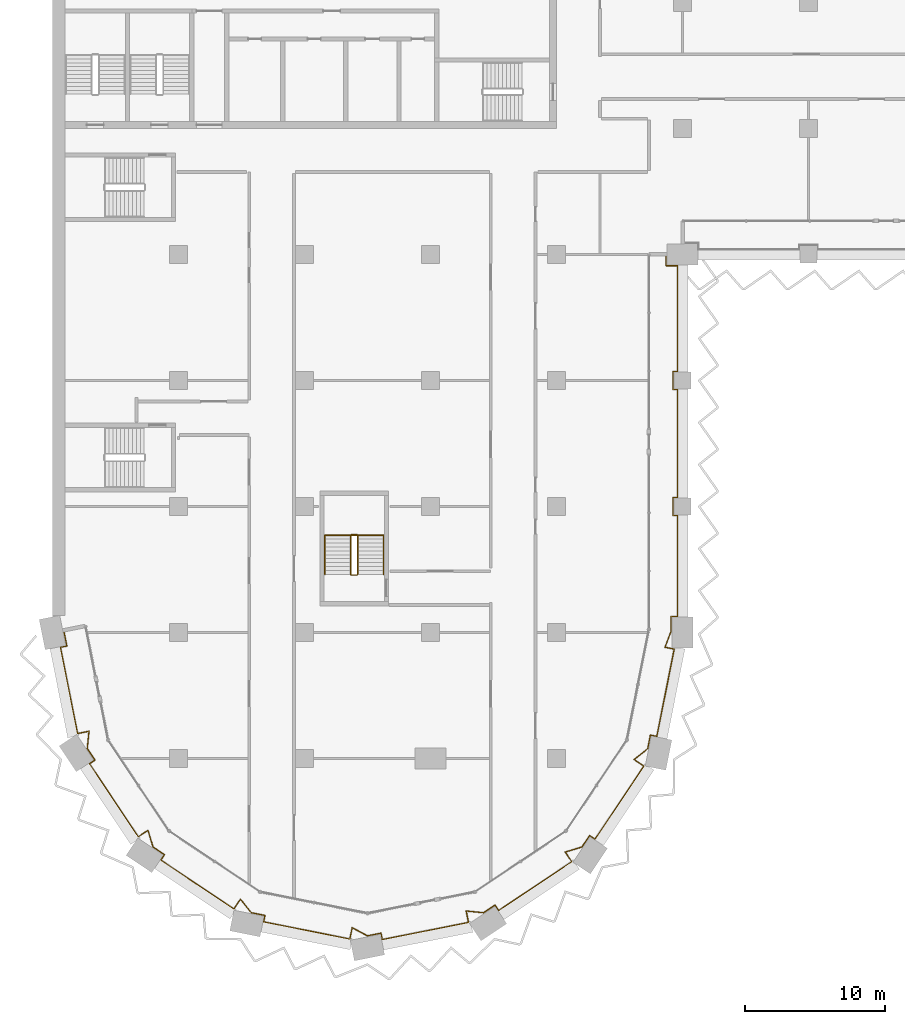
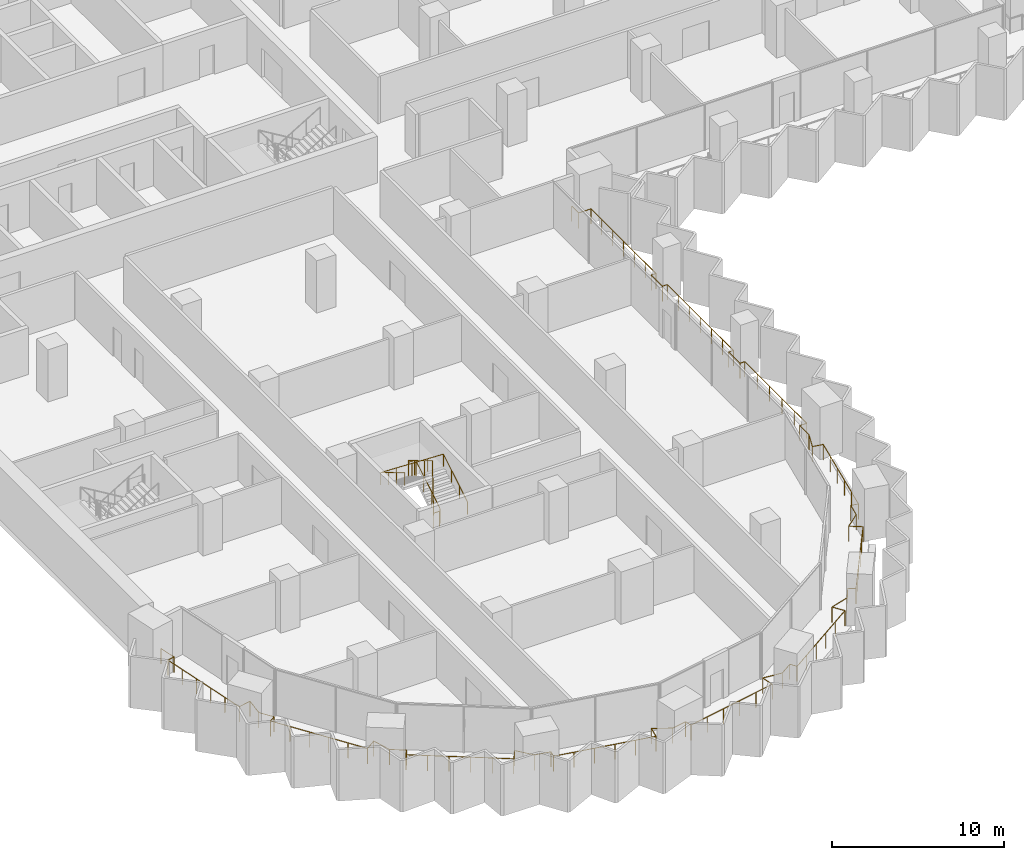
# One storey, part 20 of 23: 3 railings.
"""IFC4 building model written with IfcOpenShell, lengths in metres."""

from ifc_helpers import new_model, si_unit, direction, frame, origin, origin_2d, place, context, subcontext, project, spatial, circle, extrude, material, type_object, element, save


model = new_model("IFC4")

# Units and contexts
model_context = context("Model", 3, precision=1e-05, world=origin(), true_north=direction((0.0, 1.0)))
body_context = subcontext(model_context, "Body", "Model", "MODEL_VIEW")
ifc_project = project(units=[si_unit("LENGTHUNIT", "METRE"), si_unit("AREAUNIT", "SQUARE_METRE"), si_unit("VOLUMEUNIT", "CUBIC_METRE"), si_unit("PLANEANGLEUNIT", "RADIAN"), si_unit("MASSUNIT", "GRAM", prefix="KILO")], contexts=[model_context])

# Site, building, storey
site_placement = place(None, origin())
site = spatial("IfcSite", under=ifc_project, at=site_placement, CompositionType="ELEMENT")
building_placement = place(site_placement, origin())
building = spatial("IfcBuilding", under=site, at=building_placement, Name="Hunhe Ridgeline Campus", CompositionType="ELEMENT")
storey_placement = place(building_placement, frame((0.0, 0.0, 110.699951171875)))
storey = spatial("IfcBuildingStorey", under=building, at=storey_placement, Name="L27", CompositionType="ELEMENT", Elevation=110.699951171875)

# Railings
ifc_material_1 = material(Name="Steel Q355", Category="steel")
railing_type_1 = type_object("IfcRailingType", Name="Loggia guard 1100 Steel Q355", PredefinedType="GUARDRAIL", material=ifc_material_1)
railing_1_placement = place(storey_placement, frame((0.80419921875, 27.159912109375, 0.0)))
element("IfcRailing", 1, at=railing_1_placement, inside=storey, type_object=railing_type_1, Name="Loggia guard 1", PredefinedType="GUARDRAIL", context=body_context, shape_type="SweptSolid", body=[
    extrude(circle(Radius=0.02392578125, at=origin_2d()), frame((0.0, 0.0, 1.076171875), z_axis=(0.195095399255, -0.980784270464, 0.0), x_axis=(0.980784270464, 0.195095399255, 0.0)), (0.0, 0.0, 1.0), 1.150146484375),
    extrude(circle(Radius=0.02392578125, at=origin_2d()), frame((0.224365234375, -1.1279296875, 1.076171875), z_axis=(-0.980839571814, -0.194817181902, 0.0), x_axis=(0.194817181902, -0.980839571814, 0.0)), (0.0, 0.0, 1.0), 0.469970703125),
    extrude(circle(Radius=0.02392578125, at=origin_2d()), frame((-0.236572265625, -1.219482421875, 1.076171875), z_axis=(0.195091122585, -0.98078512116, 0.0), x_axis=(0.98078512116, 0.195091122585, 0.0)), (0.0, 0.0, 1.0), 6.27587890625),
    extrude(circle(Radius=0.02392578125, at=origin_2d()), frame((0.98779296875, -7.374755859375, 1.076171875), z_axis=(0.980805242724, 0.194989937807, 0.0), x_axis=(-0.194989937807, 0.980805242724, 0.0)), (0.0, 0.0, 1.0), 0.833984375),
    extrude(circle(Radius=0.02392578125, at=origin_2d()), frame((1.8056640625, -7.212158203125, 1.076171875), z_axis=(-0.10024174874, -0.994963110778, 0.0), x_axis=(0.994963110778, -0.10024174874, 0.0)), (0.0, 0.0, 1.0), 1.24462890625),
    extrude(circle(Radius=0.02392578125, at=origin_2d()), frame((1.680908203125, -8.450439453125, 1.076171875), z_axis=(0.555613261421, -0.831440860034, 0.0), x_axis=(0.831440860034, 0.555613261421, 0.0)), (0.0, 0.0, 1.0), 0.98681640625),
    extrude(circle(Radius=0.02392578125, at=origin_2d()), frame((2.229248046875, -9.27099609375, 1.076171875), z_axis=(-0.831650496226, -0.55529942565, 0.0), x_axis=(0.55529942565, -0.831650496226, 0.0)), (0.0, 0.0, 1.0), 0.469970703125),
    extrude(circle(Radius=0.02392578125, at=origin_2d()), frame((1.83837890625, -9.531982421875, 1.076171875), z_axis=(0.55555274607, -0.831481296443, 0.0), x_axis=(0.831481296443, 0.55555274607, 0.0)), (0.0, 0.0, 1.0), 6.27587890625),
    extrude(circle(Radius=0.02392578125, at=origin_2d()), frame((5.324951171875, -14.750244140625, 1.076171875), z_axis=(0.831419211319, 0.555645656016, 0.0), x_axis=(-0.555645656016, 0.831419211319, 0.0)), (0.0, 0.0, 1.0), 0.833984375),
    extrude(circle(Radius=0.02392578125, at=origin_2d()), frame((6.018310546875, -14.286865234375, 1.076171875), z_axis=(0.288373576958, -0.957517979002, 0.0), x_axis=(0.957517979002, 0.288373576958, 0.0)), (0.0, 0.0, 1.0), 1.24462890625),
    extrude(circle(Radius=0.02392578125, at=origin_2d()), frame((6.377197265625, -15.478515625, 1.076171875), z_axis=(0.831440860034, -0.555613261421, 0.0), x_axis=(0.555613261421, 0.831440860034, 0.0)), (0.0, 0.0, 1.0), 0.98681640625),
    extrude(circle(Radius=0.02392578125, at=origin_2d()), frame((7.19775390625, -16.02685546875, 1.076171875), z_axis=(-0.555658548717, -0.831410594856, 0.0), x_axis=(0.831410594856, -0.555658548717, 0.0)), (0.0, 0.0, 1.0), 0.47021484375),
    extrude(circle(Radius=0.02392578125, at=origin_2d()), frame((6.9365234375, -16.417724609375, 1.076171875), z_axis=(0.831469289337, -0.555570716372, 0.0), x_axis=(0.555570716372, 0.831469289337, 0.0)), (0.0, 0.0, 1.0), 6.275634765625),
    extrude(circle(Radius=0.02392578125, at=origin_2d()), frame((12.154541015625, -19.904296875, 1.076171875), z_axis=(0.555645656016, 0.831419211319, 0.0), x_axis=(-0.831419211319, 0.555645656016, 0.0)), (0.0, 0.0, 1.0), 0.833984375),
    extrude(circle(Radius=0.02392578125, at=origin_2d()), frame((12.617919921875, -19.2109375, 1.076171875), z_axis=(0.632628709191, -0.774455238414, 0.0), x_axis=(0.774455238414, 0.632628709191, 0.0)), (0.0, 0.0, 1.0), 1.24462890625),
    extrude(circle(Radius=0.02392578125, at=origin_2d()), frame((13.4052734375, -20.1748046875, 1.076171875), z_axis=(0.980770488785, -0.195164669773, 0.0), x_axis=(0.195164669773, 0.980770488785, 0.0)), (0.0, 0.0, 1.0), 0.987060546875),
    extrude(circle(Radius=0.02392578125, at=origin_2d()), frame((14.373291015625, -20.367431640625, 1.076171875), z_axis=(-0.195316901017, -0.980740183829, 0.0), x_axis=(0.980740183829, -0.195316901017, 0.0)), (0.0, 0.0, 1.0), 0.469970703125),
    extrude(circle(Radius=0.02392578125, at=origin_2d()), frame((14.281494140625, -20.828369140625, 1.076171875), z_axis=(0.98078512116, -0.195091122585, 0.0), x_axis=(0.195091122585, 0.98078512116, 0.0)), (0.0, 0.0, 1.0), 6.27587890625),
    extrude(circle(Radius=0.02392578125, at=origin_2d()), frame((20.436767578125, -22.052734375, 1.076171875), z_axis=(0.194989937807, 0.980805242724, 0.0), x_axis=(-0.980805242724, 0.194989937807, 0.0)), (0.0, 0.0, 1.0), 0.833984375),
    extrude(circle(Radius=0.02392578125, at=origin_2d()), frame((20.599365234375, -21.23486328125, 1.076171875), z_axis=(0.880980801229, -0.473152013486, 0.0), x_axis=(0.473152013486, 0.880980801229, 0.0)), (0.0, 0.0, 1.0), 1.24462890625),
    extrude(circle(Radius=0.02392578125, at=origin_2d()), frame((21.69580078125, -21.82373046875, 1.076171875), z_axis=(0.98081780924, 0.194926717196, 0.0), x_axis=(-0.194926717196, 0.98081780924, 0.0)), (0.0, 0.0, 1.0), 0.987060546875),
    extrude(circle(Radius=0.02392578125, at=origin_2d()), frame((22.663818359375, -21.63134765625, 1.076171875), z_axis=(0.194817181902, -0.980839571814, 0.0), x_axis=(0.980839571814, 0.194817181902, 0.0)), (0.0, 0.0, 1.0), 0.469970703125),
    extrude(circle(Radius=0.02392578125, at=origin_2d()), frame((22.75537109375, -22.09228515625, 1.076171875), z_axis=(0.98078512116, 0.195091122585, 0.0), x_axis=(-0.195091122585, 0.98078512116, 0.0)), (0.0, 0.0, 1.0), 6.27587890625),
    extrude(circle(Radius=0.02392578125, at=origin_2d()), frame((28.91064453125, -20.867919921875, 1.076171875), z_axis=(-0.194989937807, 0.980805242724, 0.0), x_axis=(-0.980805242724, -0.194989937807, 0.0)), (0.0, 0.0, 1.0), 0.833984375),
    extrude(circle(Radius=0.02392578125, at=origin_2d()), frame((28.748046875, -20.050048828125, 1.076171875), z_axis=(0.994963110778, -0.10024174874, 0.0), x_axis=(0.10024174874, 0.994963110778, 0.0)), (0.0, 0.0, 1.0), 1.24462890625),
    extrude(circle(Radius=0.02392578125, at=origin_2d()), frame((29.986328125, -20.1748046875, 1.076171875), z_axis=(0.831440860034, 0.555613261421, 0.0), x_axis=(-0.555613261421, 0.831440860034, 0.0)), (0.0, 0.0, 1.0), 0.98681640625),
    extrude(circle(Radius=0.02392578125, at=origin_2d()), frame((30.806884765625, -19.62646484375, 1.076171875), z_axis=(0.55529942565, -0.831650496226, 0.0), x_axis=(0.831650496226, 0.55529942565, 0.0)), (0.0, 0.0, 1.0), 0.469970703125),
    extrude(circle(Radius=0.02392578125, at=origin_2d()), frame((31.06787109375, -20.017333984375, 1.076171875), z_axis=(0.831481296443, 0.55555274607, 0.0), x_axis=(-0.55555274607, 0.831481296443, 0.0)), (0.0, 0.0, 1.0), 6.27587890625),
    extrude(circle(Radius=0.02392578125, at=origin_2d()), frame((36.2861328125, -16.53076171875, 1.076171875), z_axis=(-0.555645656016, 0.831419211319, 0.0), x_axis=(-0.831419211319, -0.555645656016, 0.0)), (0.0, 0.0, 1.0), 0.833984375),
    extrude(circle(Radius=0.02392578125, at=origin_2d()), frame((35.82275390625, -15.83740234375, 1.076171875), z_axis=(0.957517979002, 0.288373576958, 0.0), x_axis=(-0.288373576958, 0.957517979002, 0.0)), (0.0, 0.0, 1.0), 1.24462890625),
    extrude(circle(Radius=0.02392578125, at=origin_2d()), frame((37.014404296875, -15.478515625, 1.076171875), z_axis=(0.555613261421, 0.831440860034, 0.0), x_axis=(-0.831440860034, 0.555613261421, 0.0)), (0.0, 0.0, 1.0), 0.98681640625),
    extrude(circle(Radius=0.02392578125, at=origin_2d()), frame((37.562744140625, -14.657958984375, 1.076171875), z_axis=(0.831410594856, -0.555658548717, 0.0), x_axis=(0.555658548717, 0.831410594856, 0.0)), (0.0, 0.0, 1.0), 0.47021484375),
    extrude(circle(Radius=0.02392578125, at=origin_2d()), frame((37.95361328125, -14.919189453125, 1.076171875), z_axis=(0.555570716372, 0.831469289337, 0.0), x_axis=(-0.831469289337, 0.555570716372, 0.0)), (0.0, 0.0, 1.0), 6.275634765625),
    extrude(circle(Radius=0.02392578125, at=origin_2d()), frame((41.440185546875, -9.701171875, 1.076171875), z_axis=(-0.831419211319, 0.555645656016, 0.0), x_axis=(-0.555645656016, -0.831419211319, 0.0)), (0.0, 0.0, 1.0), 0.833984375),
    extrude(circle(Radius=0.02392578125, at=origin_2d()), frame((40.746826171875, -9.23779296875, 1.076171875), z_axis=(0.774455238414, 0.632628709191, 0.0), x_axis=(-0.632628709191, 0.774455238414, 0.0)), (0.0, 0.0, 1.0), 1.24462890625),
    extrude(circle(Radius=0.02392578125, at=origin_2d()), frame((41.710693359375, -8.450439453125, 1.076171875), z_axis=(0.195164669773, 0.980770488785, 0.0), x_axis=(-0.980770488785, 0.195164669773, 0.0)), (0.0, 0.0, 1.0), 0.987060546875),
    extrude(circle(Radius=0.02392578125, at=origin_2d()), frame((41.9033203125, -7.482421875, 1.076171875), z_axis=(0.980740183829, -0.195316901017, 0.0), x_axis=(0.195316901017, 0.980740183829, 0.0)), (0.0, 0.0, 1.0), 0.469970703125),
    extrude(circle(Radius=0.02392578125, at=origin_2d()), frame((42.3642578125, -7.57421875, 1.076171875), z_axis=(0.195074166836, 0.98078849373, 0.0), x_axis=(-0.98078849373, 0.195074166836, 0.0)), (0.0, 0.0, 1.0), 6.35400390625),
    extrude(circle(Radius=0.02392578125, at=origin_2d()), frame((43.603759765625, -1.34228515625, 1.076171875), z_axis=(-0.980818178173, 0.194924860818, 0.0), x_axis=(-0.194924860818, -0.980818178173, 0.0)), (0.0, 0.0, 1.0), 0.670166015625),
    extrude(circle(Radius=0.02392578125, at=origin_2d()), frame((42.946533203125, -1.211669921875, 1.076171875), z_axis=(0.354368618256, 0.935105813475, 0.0), x_axis=(-0.935105813475, 0.354368618256, 0.0)), (0.0, 0.0, 1.0), 1.211181640625),
    extrude(circle(Radius=0.02392578125, at=origin_2d()), frame((43.375732421875, -0.0791015625, 1.076171875), z_axis=(0.0, 1.0, 0.0), x_axis=(-1.0, 0.0, 0.0)), (0.0, 0.0, 1.0), 1.069091796875),
    extrude(circle(Radius=0.02392578125, at=origin_2d()), frame((43.375732421875, 0.989990234375, 1.076171875), z_axis=(1.0, 0.0, 0.0), x_axis=(0.0, 1.0, 0.0)), (0.0, 0.0, 1.0), 0.469970703125),
    extrude(circle(Radius=0.02392578125, at=origin_2d()), frame((43.845703125, 0.989990234375, 1.076171875), z_axis=(0.0, 1.0, 0.0), x_axis=(-1.0, 0.0, 0.0)), (0.0, 0.0, 1.0), 7.2001953125),
    extrude(circle(Radius=0.02392578125, at=origin_2d()), frame((43.845703125, 8.190185546875, 1.076171875), z_axis=(-1.0, 0.0, 0.0), x_axis=(0.0, -1.0, 0.0)), (0.0, 0.0, 1.0), 0.31982421875),
    extrude(circle(Radius=0.02392578125, at=origin_2d()), frame((43.52587890625, 8.190185546875, 1.076171875), z_axis=(0.0, 1.0, 0.0), x_axis=(-1.0, 0.0, 0.0)), (0.0, 0.0, 1.0), 1.2998046875),
    extrude(circle(Radius=0.02392578125, at=origin_2d()), frame((43.52587890625, 9.489990234375, 1.076171875), z_axis=(1.0, 0.0, 0.0), x_axis=(0.0, 1.0, 0.0)), (0.0, 0.0, 1.0), 0.31982421875),
    extrude(circle(Radius=0.02392578125, at=origin_2d()), frame((43.845703125, 9.489990234375, 1.076171875), z_axis=(0.0, 1.0, 0.0), x_axis=(-1.0, 0.0, 0.0)), (0.0, 0.0, 1.0), 7.7001953125),
    extrude(circle(Radius=0.02392578125, at=origin_2d()), frame((43.845703125, 17.190185546875, 1.076171875), z_axis=(-1.0, 0.0, 0.0), x_axis=(0.0, -1.0, 0.0)), (0.0, 0.0, 1.0), 0.31982421875),
    extrude(circle(Radius=0.02392578125, at=origin_2d()), frame((43.52587890625, 17.190185546875, 1.076171875), z_axis=(0.0, 1.0, 0.0), x_axis=(-1.0, 0.0, 0.0)), (0.0, 0.0, 1.0), 1.2998046875),
    extrude(circle(Radius=0.02392578125, at=origin_2d()), frame((43.52587890625, 18.489990234375, 1.076171875), z_axis=(1.0, 0.0, 0.0), x_axis=(0.0, 1.0, 0.0)), (0.0, 0.0, 1.0), 0.31982421875),
    extrude(circle(Radius=0.02392578125, at=origin_2d()), frame((43.845703125, 18.489990234375, 1.076171875), z_axis=(0.0, 1.0, 0.0), x_axis=(-1.0, 0.0, 0.0)), (0.0, 0.0, 1.0), 7.550048828125),
    extrude(circle(Radius=0.02392578125, at=origin_2d()), frame((43.845703125, 26.0400390625, 1.076171875), z_axis=(-1.0, 0.0, 0.0), x_axis=(0.0, -1.0, 0.0)), (0.0, 0.0, 1.0), 0.81982421875),
    extrude(circle(Radius=0.02392578125, at=origin_2d()), frame((43.02587890625, 26.0400390625, 1.076171875), z_axis=(0.0, 1.0, 0.0), x_axis=(-1.0, 0.0, 0.0)), (0.0, 0.0, 1.0), 0.800048828125),
    extrude(circle(Radius=0.02099609375, at=origin_2d()), origin(), (0.0, 0.0, 1.0), 1.052001953125),
    extrude(circle(Radius=0.02099609375, at=origin_2d()), frame((0.224365234375, -1.1279296875, 0.0)), (0.0, 0.0, 1.0), 1.052001953125),
    extrude(circle(Radius=0.02099609375, at=origin_2d()), frame((-0.236572265625, -1.219482421875, 0.0)), (0.0, 0.0, 1.0), 1.052001953125),
    extrude(circle(Radius=0.02099609375, at=origin_2d()), frame((0.00830078125, -2.450439453125, 0.0)), (0.0, 0.0, 1.0), 1.052001953125),
    extrude(circle(Radius=0.02099609375, at=origin_2d()), frame((0.253173828125, -3.681640625, 0.0)), (0.0, 0.0, 1.0), 1.052001953125),
    extrude(circle(Radius=0.02099609375, at=origin_2d()), frame((0.498046875, -4.91259765625, 0.0)), (0.0, 0.0, 1.0), 1.052001953125),
    extrude(circle(Radius=0.02099609375, at=origin_2d()), frame((0.742919921875, -6.143798828125, 0.0)), (0.0, 0.0, 1.0), 1.052001953125),
    extrude(circle(Radius=0.02099609375, at=origin_2d()), frame((0.98779296875, -7.374755859375, 0.0)), (0.0, 0.0, 1.0), 1.052001953125),
    extrude(circle(Radius=0.02099609375, at=origin_2d()), frame((1.8056640625, -7.212158203125, 0.0)), (0.0, 0.0, 1.0), 1.052001953125),
    extrude(circle(Radius=0.02099609375, at=origin_2d()), frame((1.680908203125, -8.450439453125, 0.0)), (0.0, 0.0, 1.0), 1.052001953125),
    extrude(circle(Radius=0.02099609375, at=origin_2d()), frame((2.229248046875, -9.27099609375, 0.0)), (0.0, 0.0, 1.0), 1.052001953125),
    extrude(circle(Radius=0.02099609375, at=origin_2d()), frame((1.83837890625, -9.531982421875, 0.0)), (0.0, 0.0, 1.0), 1.052001953125),
    extrude(circle(Radius=0.02099609375, at=origin_2d()), frame((2.53564453125, -10.57568359375, 0.0)), (0.0, 0.0, 1.0), 1.052001953125),
    extrude(circle(Radius=0.02099609375, at=origin_2d()), frame((3.23291015625, -11.619384765625, 0.0)), (0.0, 0.0, 1.0), 1.052001953125),
    extrude(circle(Radius=0.02099609375, at=origin_2d()), frame((3.930419921875, -12.662841796875, 0.0)), (0.0, 0.0, 1.0), 1.052001953125),
    extrude(circle(Radius=0.02099609375, at=origin_2d()), frame((4.627685546875, -13.70654296875, 0.0)), (0.0, 0.0, 1.0), 1.052001953125),
    extrude(circle(Radius=0.02099609375, at=origin_2d()), frame((5.324951171875, -14.750244140625, 0.0)), (0.0, 0.0, 1.0), 1.052001953125),
    extrude(circle(Radius=0.02099609375, at=origin_2d()), frame((6.018310546875, -14.286865234375, 0.0)), (0.0, 0.0, 1.0), 1.052001953125),
    extrude(circle(Radius=0.02099609375, at=origin_2d()), frame((6.377197265625, -15.478515625, 0.0)), (0.0, 0.0, 1.0), 1.052001953125),
    extrude(circle(Radius=0.02099609375, at=origin_2d()), frame((7.19775390625, -16.02685546875, 0.0)), (0.0, 0.0, 1.0), 1.052001953125),
    extrude(circle(Radius=0.02099609375, at=origin_2d()), frame((6.9365234375, -16.417724609375, 0.0)), (0.0, 0.0, 1.0), 1.052001953125),
    extrude(circle(Radius=0.02099609375, at=origin_2d()), frame((7.980224609375, -17.114990234375, 0.0)), (0.0, 0.0, 1.0), 1.052001953125),
    extrude(circle(Radius=0.02099609375, at=origin_2d()), frame((9.023681640625, -17.812255859375, 0.0)), (0.0, 0.0, 1.0), 1.052001953125),
    extrude(circle(Radius=0.02099609375, at=origin_2d()), frame((10.0673828125, -18.509765625, 0.0)), (0.0, 0.0, 1.0), 1.052001953125),
    extrude(circle(Radius=0.02099609375, at=origin_2d()), frame((11.11083984375, -19.20703125, 0.0)), (0.0, 0.0, 1.0), 1.052001953125),
    extrude(circle(Radius=0.02099609375, at=origin_2d()), frame((12.154541015625, -19.904296875, 0.0)), (0.0, 0.0, 1.0), 1.052001953125),
    extrude(circle(Radius=0.02099609375, at=origin_2d()), frame((12.617919921875, -19.2109375, 0.0)), (0.0, 0.0, 1.0), 1.052001953125),
    extrude(circle(Radius=0.02099609375, at=origin_2d()), frame((13.4052734375, -20.1748046875, 0.0)), (0.0, 0.0, 1.0), 1.052001953125),
    extrude(circle(Radius=0.02099609375, at=origin_2d()), frame((14.373291015625, -20.367431640625, 0.0)), (0.0, 0.0, 1.0), 1.052001953125),
    extrude(circle(Radius=0.02099609375, at=origin_2d()), frame((14.281494140625, -20.828369140625, 0.0)), (0.0, 0.0, 1.0), 1.052001953125),
    extrude(circle(Radius=0.02099609375, at=origin_2d()), frame((15.512451171875, -21.0732421875, 0.0)), (0.0, 0.0, 1.0), 1.052001953125),
    extrude(circle(Radius=0.02099609375, at=origin_2d()), frame((16.74365234375, -21.318115234375, 0.0)), (0.0, 0.0, 1.0), 1.052001953125),
    extrude(circle(Radius=0.02099609375, at=origin_2d()), frame((17.974609375, -21.56298828125, 0.0)), (0.0, 0.0, 1.0), 1.052001953125),
    extrude(circle(Radius=0.02099609375, at=origin_2d()), frame((19.205810546875, -21.807861328125, 0.0)), (0.0, 0.0, 1.0), 1.052001953125),
    extrude(circle(Radius=0.02099609375, at=origin_2d()), frame((20.436767578125, -22.052734375, 0.0)), (0.0, 0.0, 1.0), 1.052001953125),
    extrude(circle(Radius=0.02099609375, at=origin_2d()), frame((20.599365234375, -21.23486328125, 0.0)), (0.0, 0.0, 1.0), 1.052001953125),
    extrude(circle(Radius=0.02099609375, at=origin_2d()), frame((21.69580078125, -21.82373046875, 0.0)), (0.0, 0.0, 1.0), 1.052001953125),
    extrude(circle(Radius=0.02099609375, at=origin_2d()), frame((22.663818359375, -21.63134765625, 0.0)), (0.0, 0.0, 1.0), 1.052001953125),
    extrude(circle(Radius=0.02099609375, at=origin_2d()), frame((22.75537109375, -22.09228515625, 0.0)), (0.0, 0.0, 1.0), 1.052001953125),
    extrude(circle(Radius=0.02099609375, at=origin_2d()), frame((23.986328125, -21.847412109375, 0.0)), (0.0, 0.0, 1.0), 1.052001953125),
    extrude(circle(Radius=0.02099609375, at=origin_2d()), frame((25.217529296875, -21.6025390625, 0.0)), (0.0, 0.0, 1.0), 1.052001953125),
    extrude(circle(Radius=0.02099609375, at=origin_2d()), frame((26.448486328125, -21.357666015625, 0.0)), (0.0, 0.0, 1.0), 1.052001953125),
    extrude(circle(Radius=0.02099609375, at=origin_2d()), frame((27.6796875, -21.11279296875, 0.0)), (0.0, 0.0, 1.0), 1.052001953125),
    extrude(circle(Radius=0.02099609375, at=origin_2d()), frame((28.91064453125, -20.867919921875, 0.0)), (0.0, 0.0, 1.0), 1.052001953125),
    extrude(circle(Radius=0.02099609375, at=origin_2d()), frame((28.748046875, -20.050048828125, 0.0)), (0.0, 0.0, 1.0), 1.052001953125),
    extrude(circle(Radius=0.02099609375, at=origin_2d()), frame((29.986328125, -20.1748046875, 0.0)), (0.0, 0.0, 1.0), 1.052001953125),
    extrude(circle(Radius=0.02099609375, at=origin_2d()), frame((30.806884765625, -19.62646484375, 0.0)), (0.0, 0.0, 1.0), 1.052001953125),
    extrude(circle(Radius=0.02099609375, at=origin_2d()), frame((31.06787109375, -20.017333984375, 0.0)), (0.0, 0.0, 1.0), 1.052001953125),
    extrude(circle(Radius=0.02099609375, at=origin_2d()), frame((32.111572265625, -19.320068359375, 0.0)), (0.0, 0.0, 1.0), 1.052001953125),
    extrude(circle(Radius=0.02099609375, at=origin_2d()), frame((33.1552734375, -18.622802734375, 0.0)), (0.0, 0.0, 1.0), 1.052001953125),
    extrude(circle(Radius=0.02099609375, at=origin_2d()), frame((34.19873046875, -17.92529296875, 0.0)), (0.0, 0.0, 1.0), 1.052001953125),
    extrude(circle(Radius=0.02099609375, at=origin_2d()), frame((35.242431640625, -17.22802734375, 0.0)), (0.0, 0.0, 1.0), 1.052001953125),
    extrude(circle(Radius=0.02099609375, at=origin_2d()), frame((36.2861328125, -16.53076171875, 0.0)), (0.0, 0.0, 1.0), 1.052001953125),
    extrude(circle(Radius=0.02099609375, at=origin_2d()), frame((35.82275390625, -15.83740234375, 0.0)), (0.0, 0.0, 1.0), 1.052001953125),
    extrude(circle(Radius=0.02099609375, at=origin_2d()), frame((37.014404296875, -15.478515625, 0.0)), (0.0, 0.0, 1.0), 1.052001953125),
    extrude(circle(Radius=0.02099609375, at=origin_2d()), frame((37.562744140625, -14.657958984375, 0.0)), (0.0, 0.0, 1.0), 1.052001953125),
    extrude(circle(Radius=0.02099609375, at=origin_2d()), frame((37.95361328125, -14.919189453125, 0.0)), (0.0, 0.0, 1.0), 1.052001953125),
    extrude(circle(Radius=0.02099609375, at=origin_2d()), frame((38.65087890625, -13.87548828125, 0.0)), (0.0, 0.0, 1.0), 1.052001953125),
    extrude(circle(Radius=0.02099609375, at=origin_2d()), frame((39.34814453125, -12.83203125, 0.0)), (0.0, 0.0, 1.0), 1.052001953125),
    extrude(circle(Radius=0.02099609375, at=origin_2d()), frame((40.045654296875, -11.788330078125, 0.0)), (0.0, 0.0, 1.0), 1.052001953125),
    extrude(circle(Radius=0.02099609375, at=origin_2d()), frame((40.742919921875, -10.744873046875, 0.0)), (0.0, 0.0, 1.0), 1.052001953125),
    extrude(circle(Radius=0.02099609375, at=origin_2d()), frame((41.440185546875, -9.701171875, 0.0)), (0.0, 0.0, 1.0), 1.052001953125),
    extrude(circle(Radius=0.02099609375, at=origin_2d()), frame((40.746826171875, -9.23779296875, 0.0)), (0.0, 0.0, 1.0), 1.052001953125),
    extrude(circle(Radius=0.02099609375, at=origin_2d()), frame((41.710693359375, -8.450439453125, 0.0)), (0.0, 0.0, 1.0), 1.052001953125),
    extrude(circle(Radius=0.02099609375, at=origin_2d()), frame((41.9033203125, -7.482421875, 0.0)), (0.0, 0.0, 1.0), 1.052001953125),
    extrude(circle(Radius=0.02099609375, at=origin_2d()), frame((42.3642578125, -7.57421875, 0.0)), (0.0, 0.0, 1.0), 1.052001953125),
    extrude(circle(Radius=0.02099609375, at=origin_2d()), frame((42.612060546875, -6.327880859375, 0.0)), (0.0, 0.0, 1.0), 1.052001953125),
    extrude(circle(Radius=0.02099609375, at=origin_2d()), frame((42.860107421875, -5.08154296875, 0.0)), (0.0, 0.0, 1.0), 1.052001953125),
    extrude(circle(Radius=0.02099609375, at=origin_2d()), frame((43.10791015625, -3.8349609375, 0.0)), (0.0, 0.0, 1.0), 1.052001953125),
    extrude(circle(Radius=0.02099609375, at=origin_2d()), frame((43.35595703125, -2.588623046875, 0.0)), (0.0, 0.0, 1.0), 1.052001953125),
    extrude(circle(Radius=0.02099609375, at=origin_2d()), frame((43.603759765625, -1.34228515625, 0.0)), (0.0, 0.0, 1.0), 1.052001953125),
    extrude(circle(Radius=0.02099609375, at=origin_2d()), frame((42.946533203125, -1.211669921875, 0.0)), (0.0, 0.0, 1.0), 1.052001953125),
    extrude(circle(Radius=0.02099609375, at=origin_2d()), frame((43.375732421875, -0.0791015625, 0.0)), (0.0, 0.0, 1.0), 1.052001953125),
    extrude(circle(Radius=0.02099609375, at=origin_2d()), frame((43.375732421875, 0.989990234375, 0.0)), (0.0, 0.0, 1.0), 1.052001953125),
    extrude(circle(Radius=0.02099609375, at=origin_2d()), frame((43.845703125, 0.989990234375, 0.0)), (0.0, 0.0, 1.0), 1.052001953125),
    extrude(circle(Radius=0.02099609375, at=origin_2d()), frame((43.845703125, 2.429931640625, 0.0)), (0.0, 0.0, 1.0), 1.052001953125),
    extrude(circle(Radius=0.02099609375, at=origin_2d()), frame((43.845703125, 3.8701171875, 0.0)), (0.0, 0.0, 1.0), 1.052001953125),
    extrude(circle(Radius=0.02099609375, at=origin_2d()), frame((43.845703125, 5.31005859375, 0.0)), (0.0, 0.0, 1.0), 1.052001953125),
    extrude(circle(Radius=0.02099609375, at=origin_2d()), frame((43.845703125, 6.750244140625, 0.0)), (0.0, 0.0, 1.0), 1.052001953125),
    extrude(circle(Radius=0.02099609375, at=origin_2d()), frame((43.845703125, 8.190185546875, 0.0)), (0.0, 0.0, 1.0), 1.052001953125),
    extrude(circle(Radius=0.02099609375, at=origin_2d()), frame((43.52587890625, 8.190185546875, 0.0)), (0.0, 0.0, 1.0), 1.052001953125),
    extrude(circle(Radius=0.02099609375, at=origin_2d()), frame((43.52587890625, 9.489990234375, 0.0)), (0.0, 0.0, 1.0), 1.052001953125),
    extrude(circle(Radius=0.02099609375, at=origin_2d()), frame((43.845703125, 9.489990234375, 0.0)), (0.0, 0.0, 1.0), 1.052001953125),
    extrude(circle(Radius=0.02099609375, at=origin_2d()), frame((43.845703125, 10.7734375, 0.0)), (0.0, 0.0, 1.0), 1.052001953125),
    extrude(circle(Radius=0.02099609375, at=origin_2d()), frame((43.845703125, 12.056640625, 0.0)), (0.0, 0.0, 1.0), 1.052001953125),
    extrude(circle(Radius=0.02099609375, at=origin_2d()), frame((43.845703125, 13.340087890625, 0.0)), (0.0, 0.0, 1.0), 1.052001953125),
    extrude(circle(Radius=0.02099609375, at=origin_2d()), frame((43.845703125, 14.62353515625, 0.0)), (0.0, 0.0, 1.0), 1.052001953125),
    extrude(circle(Radius=0.02099609375, at=origin_2d()), frame((43.845703125, 15.90673828125, 0.0)), (0.0, 0.0, 1.0), 1.052001953125),
    extrude(circle(Radius=0.02099609375, at=origin_2d()), frame((43.845703125, 17.190185546875, 0.0)), (0.0, 0.0, 1.0), 1.052001953125),
    extrude(circle(Radius=0.02099609375, at=origin_2d()), frame((43.52587890625, 17.190185546875, 0.0)), (0.0, 0.0, 1.0), 1.052001953125),
    extrude(circle(Radius=0.02099609375, at=origin_2d()), frame((43.52587890625, 18.489990234375, 0.0)), (0.0, 0.0, 1.0), 1.052001953125),
    extrude(circle(Radius=0.02099609375, at=origin_2d()), frame((43.845703125, 18.489990234375, 0.0)), (0.0, 0.0, 1.0), 1.052001953125),
    extrude(circle(Radius=0.02099609375, at=origin_2d()), frame((43.845703125, 19.748291015625, 0.0)), (0.0, 0.0, 1.0), 1.052001953125),
    extrude(circle(Radius=0.02099609375, at=origin_2d()), frame((43.845703125, 21.006591796875, 0.0)), (0.0, 0.0, 1.0), 1.052001953125),
    extrude(circle(Radius=0.02099609375, at=origin_2d()), frame((43.845703125, 22.26513671875, 0.0)), (0.0, 0.0, 1.0), 1.052001953125),
    extrude(circle(Radius=0.02099609375, at=origin_2d()), frame((43.845703125, 23.5234375, 0.0)), (0.0, 0.0, 1.0), 1.052001953125),
    extrude(circle(Radius=0.02099609375, at=origin_2d()), frame((43.845703125, 24.78173828125, 0.0)), (0.0, 0.0, 1.0), 1.052001953125),
    extrude(circle(Radius=0.02099609375, at=origin_2d()), frame((43.845703125, 26.0400390625, 0.0)), (0.0, 0.0, 1.0), 1.052001953125),
    extrude(circle(Radius=0.02099609375, at=origin_2d()), frame((43.02587890625, 26.0400390625, 0.0)), (0.0, 0.0, 1.0), 1.052001953125),
    extrude(circle(Radius=0.02099609375, at=origin_2d()), frame((43.02587890625, 26.840087890625, 0.0)), (0.0, 0.0, 1.0), 1.052001953125),
])
ifc_material_2 = material(Name="Stainless steel balustrade", Category="steel")
railing_type_2 = type_object("IfcRailingType", Name="Stair guard 1100 stainless", PredefinedType="GUARDRAIL", material=ifc_material_2)
railing_2_placement = place(storey_placement, frame((21.800048828125, 31.14990234375, 0.168212890625)))
element("IfcRailing", 2, at=railing_2_placement, inside=storey, type_object=railing_type_2, Name="L27 stair W3 guard", PredefinedType="GUARDRAIL", context=body_context, shape_type="SweptSolid", body=[
    extrude(circle(Radius=0.02392578125, at=origin_2d()), frame((0.0, 0.0, 1.076171875), z_axis=(0.0, 0.857242210791, 0.514913383045), x_axis=(-1.0, 0.0, 0.0)), (0.0, 0.0, 1.0), 3.266357421875),
    extrude(circle(Radius=0.02392578125, at=origin_2d()), frame((0.0, 2.800048828125, 2.7578125), z_axis=(-0.707106781187, 0.707106781187, 0.0), x_axis=(-0.707106781187, -0.707106781187, 0.0)), (0.0, 0.0, 1.0), 0.07080078125),
    extrude(circle(Radius=0.02392578125, at=origin_2d()), frame((-0.050048828125, 2.85009765625, 2.7578125), z_axis=(-1.0, 0.0, 0.0), x_axis=(0.0, -1.0, 0.0)), (0.0, 0.0, 1.0), 0.39990234375),
    extrude(circle(Radius=0.02392578125, at=origin_2d()), frame((-0.449951171875, 2.85009765625, 2.7578125), z_axis=(-0.274243871929, -0.274243871929, 0.92172696468), x_axis=(0.707106781187, -0.707106781187, 0.0)), (0.0, 0.0, 1.0), 0.1826171875),
    extrude(circle(Radius=0.02392578125, at=origin_2d()), frame((-0.5, 2.800048828125, 2.92626953125), z_axis=(0.0, -0.857275202839, 0.514858452973), x_axis=(1.0, 0.0, 0.0)), (0.0, 0.0, 1.0), 3.26611328125),
    extrude(circle(Radius=0.02392578125, at=origin_2d()), frame((-0.5, 0.0, 4.60791015625), z_axis=(0.013524426427, -0.013458453615, -0.999817963389), x_axis=(0.705375805398, 0.708833529934, 0.0)), (0.0, 0.0, 1.0), 3.70068359375),
    extrude(circle(Radius=0.02392578125, at=origin_2d()), frame((-0.449951171875, -0.0498046875, 0.90771484375), z_axis=(1.0, 0.0, 0.0), x_axis=(0.0, 1.0, 0.0)), (0.0, 0.0, 1.0), 0.39990234375),
    extrude(circle(Radius=0.02099609375, at=origin_2d()), origin(), (0.0, 0.0, 1.0), 1.052001953125),
    extrude(circle(Radius=0.02099609375, at=origin_2d()), frame((0.0, 0.933349609375, 0.560546875)), (0.0, 0.0, 1.0), 1.052001953125),
    extrude(circle(Radius=0.02099609375, at=origin_2d()), frame((0.0, 1.86669921875, 1.121337890625)), (0.0, 0.0, 1.0), 1.052001953125),
    extrude(circle(Radius=0.02099609375, at=origin_2d()), frame((0.0, 2.800048828125, 1.681884765625)), (0.0, 0.0, 1.0), 1.052001953125),
    extrude(circle(Radius=0.02099609375, at=origin_2d()), frame((-0.050048828125, 2.85009765625, 1.681884765625)), (0.0, 0.0, 1.0), 1.052001953125),
    extrude(circle(Radius=0.02099609375, at=origin_2d()), frame((-0.449951171875, 2.85009765625, 1.681884765625)), (0.0, 0.0, 1.0), 1.052001953125),
    extrude(circle(Radius=0.02099609375, at=origin_2d()), frame((-0.5, 2.800048828125, 1.85009765625)), (0.0, 0.0, 1.0), 1.052001953125),
    extrude(circle(Radius=0.02099609375, at=origin_2d()), frame((-0.5, 1.86669921875, 2.41064453125)), (0.0, 0.0, 1.0), 1.052001953125),
    extrude(circle(Radius=0.02099609375, at=origin_2d()), frame((-0.5, 0.933349609375, 2.97119140625)), (0.0, 0.0, 1.0), 1.052001953125),
    extrude(circle(Radius=0.02099609375, at=origin_2d()), frame((-0.5, 0.0, 3.53173828125)), (0.0, 0.0, 1.0), 1.052001953125),
    extrude(circle(Radius=0.02099609375, at=origin_2d()), frame((-0.487548828125, -0.012451171875, 2.606689453125)), (0.0, 0.0, 1.0), 1.052001953125),
    extrude(circle(Radius=0.02099609375, at=origin_2d()), frame((-0.47509765625, -0.02490234375, 1.681640625)), (0.0, 0.0, 1.0), 1.052001953125),
    extrude(circle(Radius=0.02099609375, at=origin_2d()), frame((-0.46240234375, -0.037353515625, 0.7568359375)), (0.0, 0.0, 1.0), 1.052001953125),
    extrude(circle(Radius=0.02099609375, at=origin_2d()), frame((-0.449951171875, -0.0498046875, -0.168212890625)), (0.0, 0.0, 1.0), 1.052001953125),
    extrude(circle(Radius=0.02099609375, at=origin_2d()), frame((-0.050048828125, -0.0498046875, -0.168212890625)), (0.0, 0.0, 1.0), 1.052001953125),
])
ifc_material_3 = material(Name="Stainless steel handrail", Category="steel")
railing_type_3 = type_object("IfcRailingType", Name="Stair handrail 900 stainless", PredefinedType="HANDRAIL", material=ifc_material_3)
railing_3_placement = place(storey_placement, frame((23.64990234375, 31.14990234375, 0.168212890625)))
element("IfcRailing", 3, at=railing_3_placement, inside=storey, type_object=railing_type_3, Name="L27 stair W3 handrail", PredefinedType="HANDRAIL", context=body_context, shape_type="SweptSolid", body=[
    extrude(circle(Radius=0.02392578125, at=origin_2d()), frame((0.0, 0.0, 0.8759765625), z_axis=(0.0, 0.857242210791, 0.514913383045), x_axis=(-1.0, 0.0, 0.0)), (0.0, 0.0, 1.0), 3.266357421875),
    extrude(circle(Radius=0.02392578125, at=origin_2d()), frame((0.0, 2.800048828125, 2.5576171875), z_axis=(-0.999198916169, 0.0, 0.040019069537), x_axis=(0.0, -1.0, 0.0)), (0.0, 0.0, 1.0), 4.203369140625),
    extrude(circle(Radius=0.02392578125, at=origin_2d()), frame((-4.199951171875, 2.800048828125, 2.72607421875), z_axis=(0.0, -0.857275202839, 0.514858452973), x_axis=(1.0, 0.0, 0.0)), (0.0, 0.0, 1.0), 3.26611328125),
    extrude(circle(Radius=0.02099609375, at=origin_2d()), origin(), (0.0, 0.0, 1.0), 0.851806640625),
    extrude(circle(Radius=0.02099609375, at=origin_2d()), frame((0.0, 0.933349609375, 0.560546875)), (0.0, 0.0, 1.0), 0.851806640625),
    extrude(circle(Radius=0.02099609375, at=origin_2d()), frame((0.0, 1.86669921875, 1.121337890625)), (0.0, 0.0, 1.0), 0.851806640625),
    extrude(circle(Radius=0.02099609375, at=origin_2d()), frame((0.0, 2.800048828125, 1.681884765625)), (0.0, 0.0, 1.0), 0.851806640625),
    extrude(circle(Radius=0.02099609375, at=origin_2d()), frame((-1.050048828125, 2.800048828125, 1.723876953125)), (0.0, 0.0, 1.0), 0.851806640625),
    extrude(circle(Radius=0.02099609375, at=origin_2d()), frame((-2.10009765625, 2.800048828125, 1.76611328125)), (0.0, 0.0, 1.0), 0.851806640625),
    extrude(circle(Radius=0.02099609375, at=origin_2d()), frame((-3.14990234375, 2.800048828125, 1.80810546875)), (0.0, 0.0, 1.0), 0.851806640625),
    extrude(circle(Radius=0.02099609375, at=origin_2d()), frame((-4.199951171875, 2.800048828125, 1.85009765625)), (0.0, 0.0, 1.0), 0.851806640625),
    extrude(circle(Radius=0.02099609375, at=origin_2d()), frame((-4.199951171875, 1.86669921875, 2.41064453125)), (0.0, 0.0, 1.0), 0.851806640625),
    extrude(circle(Radius=0.02099609375, at=origin_2d()), frame((-4.199951171875, 0.933349609375, 2.97119140625)), (0.0, 0.0, 1.0), 0.851806640625),
    extrude(circle(Radius=0.02099609375, at=origin_2d()), frame((-4.199951171875, 0.0, 3.53173828125)), (0.0, 0.0, 1.0), 0.851806640625),
])

save(model, "model.ifc")
